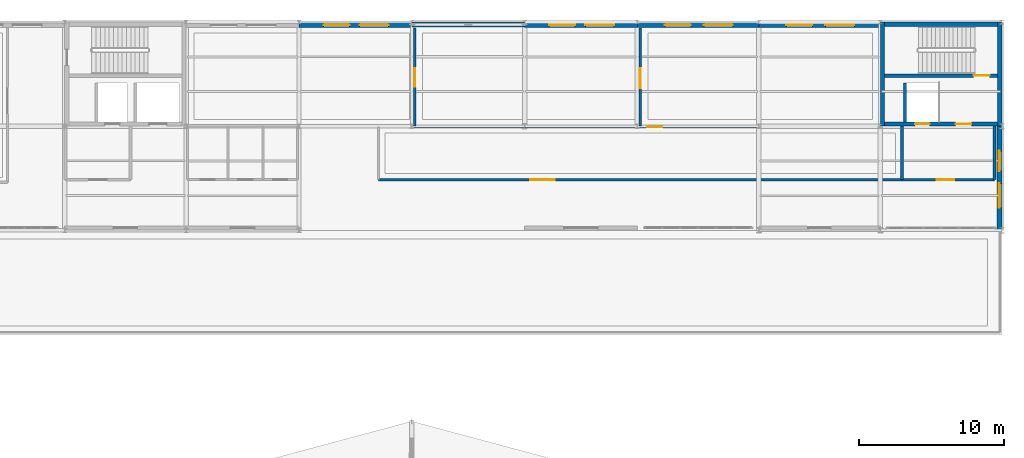
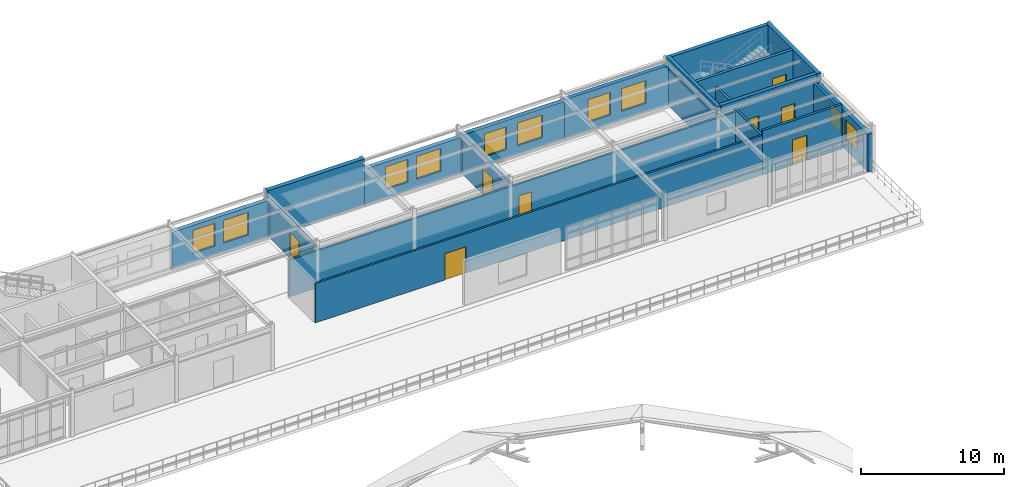
# One storey, part 53 of 58: 19 walls, 10 windows, 8 doors, 18 openings.
"""IFC4 building model written with IfcOpenShell, lengths in metres."""

from ifc_helpers import new_model, si_unit, derived_unit, direction, frame, frame_2d, origin, place, context, subcontext, project, spatial, rectangle, extrude, material, layer, layer_set, type_object, element, fill, save


model = new_model("IFC4")

# Units and contexts
model_context = context("Model", 3, precision=1e-05, world=origin(), true_north=direction((0.0, 1.0)))
body_context = subcontext(model_context, "Body", "Model", "MODEL_VIEW")
ifc_project = project(units=[si_unit("LENGTHUNIT", "METRE"), si_unit("AREAUNIT", "SQUARE_METRE"), si_unit("VOLUMEUNIT", "CUBIC_METRE"), si_unit("PLANEANGLEUNIT", "RADIAN"), si_unit("MASSUNIT", "GRAM", prefix="KILO"), derived_unit("THERMALTRANSMITTANCEUNIT", [(si_unit("POWERUNIT", "WATT"), 1), (si_unit("AREAUNIT", "SQUARE_METRE"), -1), (si_unit("THERMODYNAMICTEMPERATUREUNIT", "KELVIN"), -1)])], contexts=[model_context])

# Site, building, storey
site_placement = place(None, origin())
site = spatial("IfcSite", under=ifc_project, at=site_placement, CompositionType="ELEMENT")
building_placement = place(site_placement, origin())
building = spatial("IfcBuilding", under=site, at=building_placement, Name="Yasenodar Specialist Clinic", CompositionType="ELEMENT")
storey_placement = place(building_placement, frame((0.0, 0.0, 21.300048828125)))
storey = spatial("IfcBuildingStorey", under=building, at=storey_placement, Name="L05", CompositionType="ELEMENT", Elevation=21.300048828125)

# Wall, openings, windows
ifc_material_1 = material(Name="Buff Architectural Terracotta Rainscreen", Category="masonry")
ifc_layer_1 = layer(ifc_material_1, 0.340087890625)
ifc_layer_set_1 = layer_set([ifc_layer_1], Name="Buff Architectural Terracotta Rainscreen")
wall_type_1 = type_object("IfcWallType", Name="EW-TERR-340", PredefinedType="SOLIDWALL", material=ifc_layer_set_1)
wall_1_placement = place(storey_placement, frame((121.6298828125, 104.39990234375, 0.0), z_axis=(0.0, 0.0, 1.0), x_axis=(0.0, -1.0, 0.0)))
wall_1 = element("IfcWall", 1, at=wall_1_placement, inside=storey, type_object=wall_type_1, Name="L05 Exterior Facade Wall 0182", PredefinedType="SOLIDWALL", context=body_context, shape_type="SweptSolid", body=[
    extrude(rectangle(XDim=7.199951171875, YDim=0.340087890625, at=frame_2d((3.60009765625, 0.0))), origin(), (0.0, 0.0, 1.0), 3.22802734375),
])
opening_1_placement = place(wall_1_placement, frame((1.699951171875, 0.0, 0.85009765625)))
opening_1 = element("IfcOpeningElement", 2, at=opening_1_placement, cuts=wall_1, Name="Opening W-11", PredefinedType="OPENING", context=body_context, shape_type="SweptSolid", body=[
    extrude(rectangle(XDim=1.39990234375, YDim=1.64990234375, at=frame_2d((0.699951171875, 0.824951171875))), frame((0.0, 0.18017578125, 0.0), z_axis=(0.0, -1.0, 0.0), x_axis=(1.0, 0.0, 0.0)), (0.0, 0.0, 1.0), 0.360107421875),
])
opening_2_placement = place(wall_1_placement, frame((3.949951171875, 0.0, 0.85009765625)))
opening_2 = element("IfcOpeningElement", 3, at=opening_2_placement, cuts=wall_1, Name="Opening W-12", PredefinedType="OPENING", context=body_context, shape_type="SweptSolid", body=[
    extrude(rectangle(XDim=1.699951171875, YDim=1.75, at=frame_2d((0.85009765625, 0.875))), frame((0.0, 0.18017578125, 0.0), z_axis=(0.0, -1.0, 0.0), x_axis=(1.0, 0.0, 0.0)), (0.0, 0.0, 1.0), 0.360107421875),
])
ifc_material_2 = material(Name="Triple Low-E Argon Glazing in Bronze Aluminium Frame", Category="aluminium")
window_type_1 = type_object("IfcWindowType", Name="WIN-EXT-11", PartitioningType="SINGLE_PANEL", PredefinedType="WINDOW", material=ifc_material_2)
window_1_placement = place(opening_1_placement, origin())
window_1 = element("IfcWindow", 4, at=window_1_placement, inside=storey, type_object=window_type_1, Name="L05 Triple-Glazed Reveal Window 0210", OverallHeight=1.64990234375, OverallWidth=1.39990234375, PartitioningType="SINGLE_PANEL", PredefinedType="WINDOW", context=body_context, shape_type="SweptSolid", body=[
    extrude(rectangle(XDim=1.39990234375, YDim=1.64990234375, at=frame_2d((0.699951171875, 0.824951171875))), frame((0.0, 0.030029296875, 0.0), z_axis=(0.0, -1.0, 0.0), x_axis=(1.0, 0.0, 0.0)), (0.0, 0.0, 1.0), 0.06005859375),
])
fill(opening_1, window_1)
window_type_2 = type_object("IfcWindowType", Name="WIN-EXT-12", PartitioningType="SINGLE_PANEL", PredefinedType="WINDOW", material=ifc_material_2)
window_2_placement = place(opening_2_placement, origin())
window_2 = element("IfcWindow", 5, at=window_2_placement, inside=storey, type_object=window_type_2, Name="L05 Triple-Glazed Reveal Window 0211", OverallHeight=1.75, OverallWidth=1.699951171875, PartitioningType="SINGLE_PANEL", PredefinedType="WINDOW", context=body_context, shape_type="SweptSolid", body=[
    extrude(rectangle(XDim=1.699951171875, YDim=1.75, at=frame_2d((0.85009765625, 0.875))), frame((0.0, 0.030029296875, 0.0), z_axis=(0.0, -1.0, 0.0), x_axis=(1.0, 0.0, 0.0)), (0.0, 0.0, 1.0), 0.06005859375),
])
fill(opening_2, window_2)

wall_2_placement = place(storey_placement, frame((73.199951171875, 111.39990234375, 0.0), z_axis=(0.0, 0.0, 1.0), x_axis=(1.0, 0.0, 0.0)))
wall_2 = element("IfcWall", 6, at=wall_2_placement, inside=storey, type_object=wall_type_1, Name="L05 Exterior Facade Wall 0184", PredefinedType="SOLIDWALL", context=body_context, shape_type="SweptSolid", body=[
    extrude(rectangle(XDim=7.800048828125, YDim=0.340087890625, at=frame_2d((3.89990234375, 0.0))), origin(), (0.0, 0.0, 1.0), 3.22802734375),
])
opening_3_placement = place(wall_2_placement, frame((1.699951171875, 0.0, 0.85009765625)))
opening_3 = element("IfcOpeningElement", 7, at=opening_3_placement, cuts=wall_2, Name="Opening W-05", PredefinedType="OPENING", context=body_context, shape_type="SweptSolid", body=[
    extrude(rectangle(XDim=1.800048828125, YDim=1.949951171875, at=frame_2d((0.89990234375, 0.97509765625))), frame((0.0, 0.18017578125, 0.0), z_axis=(0.0, -1.0, 0.0), x_axis=(1.0, 0.0, 0.0)), (0.0, 0.0, 1.0), 0.360107421875),
])
opening_4_placement = place(wall_2_placement, frame((4.199951171875, 0.0, 0.85009765625)))
opening_4 = element("IfcOpeningElement", 8, at=opening_4_placement, cuts=wall_2, Name="Opening W-06", PredefinedType="OPENING", context=body_context, shape_type="SweptSolid", body=[
    extrude(rectangle(XDim=2.0, YDim=1.949951171875, at=frame_2d((1.0, 0.97509765625))), frame((0.0, 0.18017578125, 0.0), z_axis=(0.0, -1.0, 0.0), x_axis=(1.0, 0.0, 0.0)), (0.0, 0.0, 1.0), 0.360107421875),
])
window_type_3 = type_object("IfcWindowType", Name="WIN-EXT-05", PartitioningType="SINGLE_PANEL", PredefinedType="WINDOW", material=ifc_material_2)
window_3_placement = place(opening_3_placement, origin())
window_3 = element("IfcWindow", 9, at=window_3_placement, inside=storey, type_object=window_type_3, Name="L05 Triple-Glazed Reveal Window 0214", OverallHeight=1.949951171875, OverallWidth=1.800048828125, PartitioningType="SINGLE_PANEL", PredefinedType="WINDOW", context=body_context, shape_type="SweptSolid", body=[
    extrude(rectangle(XDim=1.800048828125, YDim=1.949951171875, at=frame_2d((0.89990234375, 0.97509765625))), frame((0.0, 0.030029296875, 0.0), z_axis=(0.0, -1.0, 0.0), x_axis=(1.0, 0.0, 0.0)), (0.0, 0.0, 1.0), 0.06005859375),
])
fill(opening_3, window_3)
window_type_4 = type_object("IfcWindowType", Name="WIN-EXT-06", PartitioningType="SINGLE_PANEL", PredefinedType="WINDOW", material=ifc_material_2)
window_4_placement = place(opening_4_placement, origin())
window_4 = element("IfcWindow", 10, at=window_4_placement, inside=storey, type_object=window_type_4, Name="L05 Triple-Glazed Reveal Window 0215", OverallHeight=1.949951171875, OverallWidth=2.0, PartitioningType="SINGLE_PANEL", PredefinedType="WINDOW", context=body_context, shape_type="SweptSolid", body=[
    extrude(rectangle(XDim=2.0, YDim=1.949951171875, at=frame_2d((1.0, 0.97509765625))), frame((0.0, 0.030029296875, 0.0), z_axis=(0.0, -1.0, 0.0), x_axis=(1.0, 0.0, 0.0)), (0.0, 0.0, 1.0), 0.06005859375),
])
fill(opening_4, window_4)

wall_3_placement = place(storey_placement, frame((88.800048828125, 111.39990234375, 0.0), z_axis=(0.0, 0.0, 1.0), x_axis=(1.0, 0.0, 0.0)))
wall_3 = element("IfcWall", 11, at=wall_3_placement, inside=storey, type_object=wall_type_1, Name="L05 Exterior Facade Wall 0185", PredefinedType="SOLIDWALL", context=body_context, shape_type="SweptSolid", body=[
    extrude(rectangle(XDim=7.800048828125, YDim=0.340087890625, at=frame_2d((3.89990234375, 0.0))), origin(), (0.0, 0.0, 1.0), 3.177978515625),
])
opening_5_placement = place(wall_3_placement, frame((1.699951171875, 0.0, 0.85009765625)))
opening_5 = element("IfcOpeningElement", 12, at=opening_5_placement, cuts=wall_3, Name="Opening W-05", PredefinedType="OPENING", context=body_context, shape_type="SweptSolid", body=[
    extrude(rectangle(XDim=1.800048828125, YDim=1.949951171875, at=frame_2d((0.89990234375, 0.97509765625))), frame((0.0, 0.18017578125, 0.0), z_axis=(0.0, -1.0, 0.0), x_axis=(1.0, 0.0, 0.0)), (0.0, 0.0, 1.0), 0.360107421875),
])
opening_6_placement = place(wall_3_placement, frame((4.199951171875, 0.0, 0.85009765625)))
opening_6 = element("IfcOpeningElement", 13, at=opening_6_placement, cuts=wall_3, Name="Opening W-06", PredefinedType="OPENING", context=body_context, shape_type="SweptSolid", body=[
    extrude(rectangle(XDim=2.0, YDim=1.949951171875, at=frame_2d((1.0, 0.97509765625))), frame((0.0, 0.18017578125, 0.0), z_axis=(0.0, -1.0, 0.0), x_axis=(1.0, 0.0, 0.0)), (0.0, 0.0, 1.0), 0.360107421875),
])
window_5_placement = place(opening_5_placement, origin())
window_5 = element("IfcWindow", 14, at=window_5_placement, inside=storey, type_object=window_type_3, Name="L05 Triple-Glazed Reveal Window 0216", OverallHeight=1.949951171875, OverallWidth=1.800048828125, PartitioningType="SINGLE_PANEL", PredefinedType="WINDOW", context=body_context, shape_type="SweptSolid", body=[
    extrude(rectangle(XDim=1.800048828125, YDim=1.949951171875, at=frame_2d((0.89990234375, 0.97509765625))), frame((0.0, 0.030029296875, 0.0), z_axis=(0.0, -1.0, 0.0), x_axis=(1.0, 0.0, 0.0)), (0.0, 0.0, 1.0), 0.06005859375),
])
fill(opening_5, window_5)
window_6_placement = place(opening_6_placement, origin())
window_6 = element("IfcWindow", 15, at=window_6_placement, inside=storey, type_object=window_type_4, Name="L05 Triple-Glazed Reveal Window 0217", OverallHeight=1.949951171875, OverallWidth=2.0, PartitioningType="SINGLE_PANEL", PredefinedType="WINDOW", context=body_context, shape_type="SweptSolid", body=[
    extrude(rectangle(XDim=2.0, YDim=1.949951171875, at=frame_2d((1.0, 0.97509765625))), frame((0.0, 0.030029296875, 0.0), z_axis=(0.0, -1.0, 0.0), x_axis=(1.0, 0.0, 0.0)), (0.0, 0.0, 1.0), 0.06005859375),
])
fill(opening_6, window_6)

wall_4_placement = place(storey_placement, frame((105.0, 111.39990234375, 0.0), z_axis=(0.0, 0.0, 1.0), x_axis=(1.0, 0.0, 0.0)))
wall_4 = element("IfcWall", 16, at=wall_4_placement, inside=storey, type_object=wall_type_1, Name="L05 Exterior Facade Wall 0186", PredefinedType="SOLIDWALL", context=body_context, shape_type="SweptSolid", body=[
    extrude(rectangle(XDim=8.39990234375, YDim=0.340087890625, at=frame_2d((4.199951171875, 0.0))), origin(), (0.0, 0.0, 1.0), 3.43798828125),
])
opening_7_placement = place(wall_4_placement, frame((1.89990234375, 0.0, 0.85009765625)))
opening_7 = element("IfcOpeningElement", 17, at=opening_7_placement, cuts=wall_4, Name="Opening W-05", PredefinedType="OPENING", context=body_context, shape_type="SweptSolid", body=[
    extrude(rectangle(XDim=1.800048828125, YDim=1.949951171875, at=frame_2d((0.89990234375, 0.97509765625))), frame((0.0, 0.18017578125, 0.0), z_axis=(0.0, -1.0, 0.0), x_axis=(1.0, 0.0, 0.0)), (0.0, 0.0, 1.0), 0.360107421875),
])
opening_8_placement = place(wall_4_placement, frame((4.60009765625, 0.0, 0.85009765625)))
opening_8 = element("IfcOpeningElement", 18, at=opening_8_placement, cuts=wall_4, Name="Opening W-06", PredefinedType="OPENING", context=body_context, shape_type="SweptSolid", body=[
    extrude(rectangle(XDim=2.0, YDim=1.949951171875, at=frame_2d((1.0, 0.97509765625))), frame((0.0, 0.18017578125, 0.0), z_axis=(0.0, -1.0, 0.0), x_axis=(1.0, 0.0, 0.0)), (0.0, 0.0, 1.0), 0.360107421875),
])
window_7_placement = place(opening_7_placement, origin())
window_7 = element("IfcWindow", 19, at=window_7_placement, inside=storey, type_object=window_type_3, Name="L05 Triple-Glazed Reveal Window 0218", OverallHeight=1.949951171875, OverallWidth=1.800048828125, PartitioningType="SINGLE_PANEL", PredefinedType="WINDOW", context=body_context, shape_type="SweptSolid", body=[
    extrude(rectangle(XDim=1.800048828125, YDim=1.949951171875, at=frame_2d((0.89990234375, 0.97509765625))), frame((0.0, 0.030029296875, 0.0), z_axis=(0.0, -1.0, 0.0), x_axis=(1.0, 0.0, 0.0)), (0.0, 0.0, 1.0), 0.06005859375),
])
fill(opening_7, window_7)
window_8_placement = place(opening_8_placement, origin())
window_8 = element("IfcWindow", 20, at=window_8_placement, inside=storey, type_object=window_type_4, Name="L05 Triple-Glazed Reveal Window 0219", OverallHeight=1.949951171875, OverallWidth=2.0, PartitioningType="SINGLE_PANEL", PredefinedType="WINDOW", context=body_context, shape_type="SweptSolid", body=[
    extrude(rectangle(XDim=2.0, YDim=1.949951171875, at=frame_2d((1.0, 0.97509765625))), frame((0.0, 0.030029296875, 0.0), z_axis=(0.0, -1.0, 0.0), x_axis=(1.0, 0.0, 0.0)), (0.0, 0.0, 1.0), 0.06005859375),
])
fill(opening_8, window_8)

wall_5_placement = place(storey_placement, frame((96.60009765625, 111.39990234375, 0.0), z_axis=(0.0, 0.0, 1.0), x_axis=(1.0, 0.0, 0.0)))
wall_5 = element("IfcWall", 21, at=wall_5_placement, inside=storey, type_object=wall_type_1, Name="L05 Exterior Facade Wall 0187", PredefinedType="SOLIDWALL", context=body_context, shape_type="SweptSolid", body=[
    extrude(rectangle(XDim=8.39990234375, YDim=0.340087890625, at=frame_2d((4.199951171875, 0.0))), origin(), (0.0, 0.0, 1.0), 3.327880859375),
])
opening_9_placement = place(wall_5_placement, frame((1.89990234375, 0.0, 0.85009765625)))
opening_9 = element("IfcOpeningElement", 22, at=opening_9_placement, cuts=wall_5, Name="Opening W-05", PredefinedType="OPENING", context=body_context, shape_type="SweptSolid", body=[
    extrude(rectangle(XDim=1.800048828125, YDim=1.949951171875, at=frame_2d((0.89990234375, 0.97509765625))), frame((0.0, 0.18017578125, 0.0), z_axis=(0.0, -1.0, 0.0), x_axis=(1.0, 0.0, 0.0)), (0.0, 0.0, 1.0), 0.360107421875),
])
opening_10_placement = place(wall_5_placement, frame((4.60009765625, 0.0, 0.85009765625)))
opening_10 = element("IfcOpeningElement", 23, at=opening_10_placement, cuts=wall_5, Name="Opening W-06", PredefinedType="OPENING", context=body_context, shape_type="SweptSolid", body=[
    extrude(rectangle(XDim=2.0, YDim=1.949951171875, at=frame_2d((1.0, 0.97509765625))), frame((0.0, 0.18017578125, 0.0), z_axis=(0.0, -1.0, 0.0), x_axis=(1.0, 0.0, 0.0)), (0.0, 0.0, 1.0), 0.360107421875),
])
window_9_placement = place(opening_9_placement, origin())
window_9 = element("IfcWindow", 24, at=window_9_placement, inside=storey, type_object=window_type_3, Name="L05 Triple-Glazed Reveal Window 0220", OverallHeight=1.949951171875, OverallWidth=1.800048828125, PartitioningType="SINGLE_PANEL", PredefinedType="WINDOW", context=body_context, shape_type="SweptSolid", body=[
    extrude(rectangle(XDim=1.800048828125, YDim=1.949951171875, at=frame_2d((0.89990234375, 0.97509765625))), frame((0.0, 0.030029296875, 0.0), z_axis=(0.0, -1.0, 0.0), x_axis=(1.0, 0.0, 0.0)), (0.0, 0.0, 1.0), 0.06005859375),
])
fill(opening_9, window_9)
window_10_placement = place(opening_10_placement, origin())
window_10 = element("IfcWindow", 25, at=window_10_placement, inside=storey, type_object=window_type_4, Name="L05 Triple-Glazed Reveal Window 0221", OverallHeight=1.949951171875, OverallWidth=2.0, PartitioningType="SINGLE_PANEL", PredefinedType="WINDOW", context=body_context, shape_type="SweptSolid", body=[
    extrude(rectangle(XDim=2.0, YDim=1.949951171875, at=frame_2d((1.0, 0.97509765625))), frame((0.0, 0.030029296875, 0.0), z_axis=(0.0, -1.0, 0.0), x_axis=(1.0, 0.0, 0.0)), (0.0, 0.0, 1.0), 0.06005859375),
])
fill(opening_10, window_10)

# Wall, opening, door
ifc_material_3 = material(Name="Acoustic Double-Gypsum Consulting Partition")
ifc_layer_2 = layer(ifc_material_3, 0.159912109375)
ifc_layer_set_2 = layer_set([ifc_layer_2], Name="Acoustic Double-Gypsum Consulting Partition")
wall_type_2 = type_object("IfcWallType", Name="IW-CONS-160", PredefinedType="PARTITIONING", material=ifc_layer_set_2)
wall_6_placement = place(storey_placement, frame((78.699951171875, 100.699951171875, 0.0), z_axis=(0.0, 0.0, 1.0), x_axis=(1.0, 0.0, 0.0)))
wall_6 = element("IfcWall", 26, at=wall_6_placement, inside=storey, type_object=wall_type_2, Name="L05 Wing V5 L05 Corridor North Partition", PredefinedType="PARTITIONING", context=body_context, shape_type="SweptSolid", body=[
    extrude(rectangle(XDim=36.199951171875, YDim=0.159912109375, at=frame_2d((18.10009765625, 0.0))), origin(), (0.0, 0.0, 1.0), 3.3779296875),
])
opening_11_placement = place(wall_6_placement, frame((10.5, 0.0, 0.0)))
opening_11 = element("IfcOpeningElement", 27, at=opening_11_placement, cuts=wall_6, Name="Opening D-10", PredefinedType="OPENING", context=body_context, shape_type="SweptSolid", body=[
    extrude(rectangle(XDim=1.679931640625, YDim=2.260009765625, at=frame_2d((0.83984375, 1.1298828125))), frame((0.0, 0.08984375, 0.0), z_axis=(0.0, -1.0, 0.0), x_axis=(1.0, 0.0, 0.0)), (0.0, 0.0, 1.0), 0.179931640625),
])
ifc_material_4 = material(Name="Powder-Coated Steel and Acoustic Laminate Leaf", Category="steel")
door_type_1 = type_object("IfcDoorType", Name="DR-BED-168", OperationType="DOUBLE_DOOR_SINGLE_SWING", PredefinedType="DOOR", material=ifc_material_4)
door_1_placement = place(opening_11_placement, origin())
door_1 = element("IfcDoor", 28, at=door_1_placement, inside=storey, type_object=door_type_1, Name="L05 Clinical Reference Library Door", OperationType="DOUBLE_DOOR_SINGLE_SWING", OverallHeight=2.260009765625, OverallWidth=1.679931640625, PredefinedType="DOOR", context=body_context, shape_type="SweptSolid", body=[
    extrude(rectangle(XDim=1.679931640625, YDim=2.260009765625, at=frame_2d((0.83984375, 1.1298828125))), frame((0.0, 0.02490234375, 0.0), z_axis=(0.0, -1.0, 0.0), x_axis=(1.0, 0.0, 0.0)), (0.0, 0.0, 1.0), 0.050048828125),
])
fill(opening_11, door_1)

wall_7_placement = place(storey_placement, frame((78.699951171875, 104.35009765625, 0.0), z_axis=(0.0, 0.0, 1.0), x_axis=(1.0, 0.0, 0.0)))
wall_7 = element("IfcWall", 29, at=wall_7_placement, inside=storey, type_object=wall_type_2, Name="L05 Wing V5 L05 North Spine Partition", PredefinedType="PARTITIONING", context=body_context, shape_type="SweptSolid", body=[
    extrude(rectangle(XDim=36.199951171875, YDim=0.159912109375, at=frame_2d((18.10009765625, 0.0))), origin(), (0.0, 0.0, 1.0), 3.177978515625),
])
opening_12_placement = place(wall_7_placement, frame((18.590087890625, 0.0, 0.0)))
opening_12 = element("IfcOpeningElement", 30, at=opening_12_placement, cuts=wall_7, Name="Opening D-03", PredefinedType="OPENING", context=body_context, shape_type="SweptSolid", body=[
    extrude(rectangle(XDim=1.02001953125, YDim=2.14990234375, at=frame_2d((0.510009765625, 1.074951171875))), frame((0.0, 0.08984375, 0.0), z_axis=(0.0, -1.0, 0.0), x_axis=(1.0, 0.0, 0.0)), (0.0, 0.0, 1.0), 0.179931640625),
])
door_type_2 = type_object("IfcDoorType", Name="DR-CLN-102", OperationType="NOTDEFINED", PredefinedType="DOOR", material=ifc_material_4)
door_2_placement = place(opening_12_placement, origin())
door_2 = element("IfcDoor", 31, at=door_2_placement, inside=storey, type_object=door_type_2, Name="L05 Medical Simulation Skills Studio Door", OperationType="SINGLE_SWING_RIGHT", OverallHeight=2.14990234375, OverallWidth=1.02001953125, PredefinedType="DOOR", context=body_context, shape_type="SweptSolid", body=[
    extrude(rectangle(XDim=1.02001953125, YDim=2.14990234375, at=frame_2d((0.510009765625, 1.074951171875))), frame((0.0, 0.02490234375, 0.0), z_axis=(0.0, -1.0, 0.0), x_axis=(1.0, 0.0, 0.0)), (0.0, 0.0, 1.0), 0.050048828125),
])
fill(opening_12, door_2)

wall_8_placement = place(storey_placement, frame((96.800048828125, 111.199951171875, 0.0), z_axis=(0.0, 0.0, 1.0), x_axis=(0.0, -1.0, 0.0)))
wall_8 = element("IfcWall", 32, at=wall_8_placement, inside=storey, type_object=wall_type_2, Name="L05 Medical Seminar Room B Partition", PredefinedType="PARTITIONING", context=body_context, shape_type="SweptSolid", body=[
    extrude(rectangle(XDim=6.7900390625, YDim=0.159912109375, at=frame_2d((3.39501953125, 0.0))), origin(), (0.0, 0.0, 1.0), 3.327880859375),
])
opening_13_placement = place(wall_8_placement, frame((2.800048828125, 0.0, 0.0)))
opening_13 = element("IfcOpeningElement", 33, at=opening_13_placement, cuts=wall_8, Name="Opening D-11", PredefinedType="OPENING", context=body_context, shape_type="SweptSolid", body=[
    extrude(rectangle(XDim=1.360107421875, YDim=2.199951171875, at=frame_2d((0.68017578125, 1.10009765625))), frame((0.0, 0.08984375, 0.0), z_axis=(0.0, -1.0, 0.0), x_axis=(1.0, 0.0, 0.0)), (0.0, 0.0, 1.0), 0.179931640625),
])
door_type_3 = type_object("IfcDoorType", Name="DR-PLT-136", OperationType="NOTDEFINED", PredefinedType="DOOR", material=ifc_material_4)
door_3_placement = place(opening_13_placement, origin())
door_3 = element("IfcDoor", 34, at=door_3_placement, inside=storey, type_object=door_type_3, Name="L05 Medical Seminar Room B Door", OperationType="SINGLE_SWING_LEFT", OverallHeight=2.199951171875, OverallWidth=1.360107421875, PredefinedType="DOOR", context=body_context, shape_type="SweptSolid", body=[
    extrude(rectangle(XDim=1.360107421875, YDim=2.199951171875, at=frame_2d((0.68017578125, 1.10009765625))), frame((0.0, 0.02490234375, 0.0), z_axis=(0.0, -1.0, 0.0), x_axis=(1.0, 0.0, 0.0)), (0.0, 0.0, 1.0), 0.050048828125),
])
fill(opening_13, door_3)

ifc_material_5 = material(Name="Cleanroom Laboratory Partition")
ifc_layer_3 = layer(ifc_material_5, 0.169921875)
ifc_layer_set_3 = layer_set([ifc_layer_3], Name="Cleanroom Laboratory Partition")
wall_type_3 = type_object("IfcWallType", Name="IW-LAB-170", PredefinedType="PARTITIONING", material=ifc_layer_set_3)
wall_9_placement = place(storey_placement, frame((81.199951171875, 111.199951171875, 0.0), z_axis=(0.0, 0.0, 1.0), x_axis=(0.0, -1.0, 0.0)))
wall_9 = element("IfcWall", 35, at=wall_9_placement, inside=storey, type_object=wall_type_3, Name="L05 Medical Seminar Room A Partition", PredefinedType="PARTITIONING", context=body_context, shape_type="SweptSolid", body=[
    extrude(rectangle(XDim=6.7900390625, YDim=0.169921875, at=frame_2d((3.39501953125, 0.0))), origin(), (0.0, 0.0, 1.0), 3.22802734375),
])
opening_14_placement = place(wall_9_placement, frame((2.800048828125, 0.0, 0.0)))
opening_14 = element("IfcOpeningElement", 36, at=opening_14_placement, cuts=wall_9, Name="Opening D-08", PredefinedType="OPENING", context=body_context, shape_type="SweptSolid", body=[
    extrude(rectangle(XDim=1.280029296875, YDim=2.219970703125, at=frame_2d((0.64013671875, 1.10986328125))), frame((0.0, 0.094970703125, 0.0), z_axis=(0.0, -1.0, 0.0), x_axis=(1.0, 0.0, 0.0)), (0.0, 0.0, 1.0), 0.18994140625),
])
door_type_4 = type_object("IfcDoorType", Name="DR-CLN-128", OperationType="NOTDEFINED", PredefinedType="DOOR", material=ifc_material_4)
door_4_placement = place(opening_14_placement, origin())
door_4 = element("IfcDoor", 37, at=door_4_placement, inside=storey, type_object=door_type_4, Name="L05 Medical Seminar Room A Door", OperationType="SINGLE_SWING_RIGHT", OverallHeight=2.219970703125, OverallWidth=1.280029296875, PredefinedType="DOOR", context=body_context, shape_type="SweptSolid", body=[
    extrude(rectangle(XDim=1.280029296875, YDim=2.219970703125, at=frame_2d((0.64013671875, 1.10986328125))), frame((0.0, 0.02490234375, 0.0), z_axis=(0.0, -1.0, 0.0), x_axis=(1.0, 0.0, 0.0)), (0.0, 0.0, 1.0), 0.050048828125),
])
fill(opening_14, door_4)

ifc_material_6 = material(Name="Fire-Rated Gypsum and Mineral-Wool Wall")
ifc_layer_4 = layer(ifc_material_6, 0.195068359375)
ifc_layer_set_4 = layer_set([ifc_layer_4], Name="Fire-Rated Gypsum and Mineral-Wool Wall")
wall_type_4 = type_object("IfcWallType", Name="IW-LOBBY-195", PredefinedType="PARTITIONING", material=ifc_layer_set_4)
wall_10_placement = place(storey_placement, frame((114.89990234375, 100.699951171875, 0.0), z_axis=(0.0, 0.0, 1.0), x_axis=(1.0, 0.0, 0.0)))
wall_10 = element("IfcWall", 38, at=wall_10_placement, inside=storey, type_object=wall_type_4, Name="L05 C5 Firefighting Lobby South Wall", PredefinedType="PARTITIONING", context=body_context, shape_type="SweptSolid", body=[
    extrude(rectangle(XDim=6.400146484375, YDim=0.195068359375, at=frame_2d((3.2001953125, 0.0))), origin(), (0.0, 0.0, 1.0), 3.780029296875),
])
opening_15_placement = place(wall_10_placement, frame((2.39990234375, 0.0, 0.0)))
opening_15 = element("IfcOpeningElement", 39, at=opening_15_placement, cuts=wall_10, Name="Opening FD-02", PredefinedType="OPENING", context=body_context, shape_type="SweptSolid", body=[
    extrude(rectangle(XDim=1.199951171875, YDim=2.14990234375, at=frame_2d((0.60009765625, 1.074951171875))), frame((0.0, 0.107421875, 0.0), z_axis=(0.0, -1.0, 0.0), x_axis=(1.0, 0.0, 0.0)), (0.0, 0.0, 1.0), 0.215087890625),
])
ifc_material_7 = material(Name="Fire-Rated Insulated Steel Door", Category="steel")
door_type_5 = type_object("IfcDoorType", Name="DR-FD-120", OperationType="NOTDEFINED", PredefinedType="DOOR", material=ifc_material_7)
door_5_placement = place(opening_15_placement, origin())
door_5 = element("IfcDoor", 40, at=door_5_placement, inside=storey, type_object=door_type_5, Name="L05 C5 Firefighting Lobby Door", OperationType="SINGLE_SWING_LEFT", OverallHeight=2.14990234375, OverallWidth=1.199951171875, PredefinedType="DOOR", context=body_context, shape_type="SweptSolid", body=[
    extrude(rectangle(XDim=1.199951171875, YDim=2.14990234375, at=frame_2d((0.60009765625, 1.074951171875))), frame((0.0, 0.02490234375, 0.0), z_axis=(0.0, -1.0, 0.0), x_axis=(1.0, 0.0, 0.0)), (0.0, 0.0, 1.0), 0.050048828125),
])
fill(opening_15, door_5)

# Walls
for number, where, z_axis, x_axis, name in (
    (41, (121.300048828125, 100.699951171875, 0.0), (0.0, 0.0, 1.0), (0.0, 1.0, 0.0), "L05 C5 Firefighting Lobby East Wall"),
    (42, (114.89990234375, 100.699951171875, 0.0), (0.0, 0.0, 1.0), (0.0, 1.0, 0.0), "L05 C5 Firefighting Lobby West Wall"),
):
    element("IfcWall", number, at=place(storey_placement, frame(where, z_axis=z_axis, x_axis=x_axis)), inside=storey, type_object=wall_type_4, Name=name, PredefinedType="PARTITIONING", context=body_context, shape_type="SweptSolid", body=[
        extrude(rectangle(XDim=3.699951171875, YDim=0.195068359375, at=frame_2d((1.85009765625, 0.0))), origin(), (0.0, 0.0, 1.0), 3.387939453125),
    ])
ifc_material_8 = material(Name="Aerated Concrete Blockwork Fire Shaft Wall", Category="masonry")
ifc_layer_5 = layer(ifc_material_8, 0.205078125)
ifc_layer_set_5 = layer_set([ifc_layer_5], Name="Aerated Concrete Blockwork Fire Shaft Wall")
wall_type_5 = type_object("IfcWallType", Name="IW-SHAFT-205", PredefinedType="PARTITIONING", material=ifc_layer_set_5)
wall_11_placement = place(storey_placement, frame((115.10009765625, 104.699951171875, 0.0), z_axis=(0.0, 0.0, 1.0), x_axis=(0.0, 1.0, 0.0)))
element("IfcWall", 43, at=wall_11_placement, inside=storey, type_object=wall_type_5, Name="L05 LF-08 Lift Shaft Side Wall", PredefinedType="PARTITIONING", context=body_context, shape_type="SweptSolid", body=[
    extrude(rectangle(XDim=2.699951171875, YDim=0.205078125, at=frame_2d((1.35009765625, 0.0))), origin(), (0.0, 0.0, 1.0), 3.387939453125),
])

# Wall, opening, door
ifc_material_9 = material(Name="Concrete C35/45", Category="concrete")
ifc_layer_6 = layer(ifc_material_9, 0.25)
ifc_layer_set_6 = layer_set([ifc_layer_6], Name="Concrete C35/45")
wall_type_6 = type_object("IfcWallType", Name="WL-CORE-250", PredefinedType="SHEAR", material=ifc_layer_set_6)
wall_12_placement = place(storey_placement, frame((113.699951171875, 107.89990234375, 0.0), z_axis=(0.0, 0.0, 1.0), x_axis=(1.0, 0.0, 0.0)))
wall_12 = element("IfcWall", 44, at=wall_12_placement, inside=storey, type_object=wall_type_6, Name="L05 Core C5 Central Spine Wall", PredefinedType="SHEAR", context=body_context, shape_type="SweptSolid", body=[
    extrude(rectangle(XDim=7.800048828125, YDim=0.25, at=frame_2d((3.89990234375, 0.0))), origin(), (0.0, 0.0, 1.0), 4.050048828125),
])
opening_16_placement = place(wall_12_placement, frame((6.14990234375, 0.0, 0.0)))
opening_16 = element("IfcOpeningElement", 45, at=opening_16_placement, cuts=wall_12, Name="Opening FD-01", PredefinedType="OPENING", context=body_context, shape_type="SweptSolid", body=[
    extrude(rectangle(XDim=1.10009765625, YDim=2.14990234375, at=frame_2d((0.550048828125, 1.074951171875))), frame((0.0, 0.135009765625, 0.0), z_axis=(0.0, -1.0, 0.0), x_axis=(1.0, 0.0, 0.0)), (0.0, 0.0, 1.0), 0.27001953125),
])
door_type_6 = type_object("IfcDoorType", Name="DR-FD-110", OperationType="NOTDEFINED", PredefinedType="DOOR", material=ifc_material_7)
door_6_placement = place(opening_16_placement, origin())
door_6 = element("IfcDoor", 46, at=door_6_placement, inside=storey, type_object=door_type_6, Name="L05 ST-05 Protected Stair Door", OperationType="SINGLE_SWING_LEFT", OverallHeight=2.14990234375, OverallWidth=1.10009765625, PredefinedType="DOOR", context=body_context, shape_type="SweptSolid", body=[
    extrude(rectangle(XDim=1.10009765625, YDim=2.14990234375, at=frame_2d((0.550048828125, 1.074951171875))), frame((0.0, 0.02490234375, 0.0), z_axis=(0.0, -1.0, 0.0), x_axis=(1.0, 0.0, 0.0)), (0.0, 0.0, 1.0), 0.050048828125),
])
fill(opening_16, door_6)

# Wall
ifc_layer_7 = layer(ifc_material_9, 0.300048828125)
ifc_layer_set_7 = layer_set([ifc_layer_7], Name="Concrete C35/45")
wall_type_7 = type_object("IfcWallType", Name="WL-CORE-300", PredefinedType="SHEAR", material=ifc_layer_set_7)
wall_13_placement = place(storey_placement, frame((113.39990234375, 111.449951171875, 0.0), z_axis=(0.0, 0.0, 1.0), x_axis=(1.0, 0.0, 0.0)))
element("IfcWall", 47, at=wall_13_placement, inside=storey, type_object=wall_type_7, Name="L05 Core C5 North Shear Wall", PredefinedType="SHEAR", context=body_context, shape_type="SweptSolid", body=[
    extrude(rectangle(XDim=8.400146484375, YDim=0.300048828125, at=frame_2d((4.2001953125, 0.0))), origin(), (0.0, 0.0, 1.0), 4.050048828125),
])

# Wall, openings, doors
wall_14_placement = place(storey_placement, frame((113.39990234375, 104.550048828125, 0.0), z_axis=(0.0, 0.0, 1.0), x_axis=(1.0, 0.0, 0.0)))
wall_14 = element("IfcWall", 48, at=wall_14_placement, inside=storey, type_object=wall_type_7, Name="L05 Core C5 South Shear Wall", PredefinedType="SHEAR", context=body_context, shape_type="SweptSolid", body=[
    extrude(rectangle(XDim=8.400146484375, YDim=0.300048828125, at=frame_2d((4.2001953125, 0.0))), origin(), (0.0, 0.0, 1.0), 4.050048828125),
])
opening_17_placement = place(wall_14_placement, frame((5.199951171875, 0.0, 0.0)))
opening_17 = element("IfcOpeningElement", 49, at=opening_17_placement, cuts=wall_14, Name="Opening FD-01", PredefinedType="OPENING", context=body_context, shape_type="SweptSolid", body=[
    extrude(rectangle(XDim=1.10009765625, YDim=2.14990234375, at=frame_2d((0.550048828125, 1.074951171875))), frame((0.0, 0.16015625, 0.0), z_axis=(0.0, -1.0, 0.0), x_axis=(1.0, 0.0, 0.0)), (0.0, 0.0, 1.0), 0.320068359375),
])
opening_18_placement = place(wall_14_placement, frame((2.39990234375, 0.0, 0.0)))
opening_18 = element("IfcOpeningElement", 50, at=opening_18_placement, cuts=wall_14, Name="Opening LD-01", PredefinedType="OPENING", context=body_context, shape_type="SweptSolid", body=[
    extrude(rectangle(XDim=1.0, YDim=2.10009765625, at=frame_2d((0.5, 1.050048828125))), frame((0.0, 0.16015625, 0.0), z_axis=(0.0, -1.0, 0.0), x_axis=(1.0, 0.0, 0.0)), (0.0, 0.0, 1.0), 0.320068359375),
])
door_7_placement = place(opening_17_placement, origin())
door_7 = element("IfcDoor", 51, at=door_7_placement, inside=storey, type_object=door_type_6, Name="L05 Stair ST-05 Vestibule Door", OperationType="SINGLE_SWING_RIGHT", OverallHeight=2.14990234375, OverallWidth=1.10009765625, PredefinedType="DOOR", context=body_context, shape_type="SweptSolid", body=[
    extrude(rectangle(XDim=1.10009765625, YDim=2.14990234375, at=frame_2d((0.550048828125, 1.074951171875))), frame((0.0, 0.02490234375, 0.0), z_axis=(0.0, -1.0, 0.0), x_axis=(1.0, 0.0, 0.0)), (0.0, 0.0, 1.0), 0.050048828125),
])
fill(opening_17, door_7)
door_type_7 = type_object("IfcDoorType", Name="DR-LD-100", OperationType="DOUBLE_DOOR_SLIDING", PredefinedType="DOOR", material=ifc_material_7)
door_8_placement = place(opening_18_placement, origin())
door_8 = element("IfcDoor", 52, at=door_8_placement, inside=storey, type_object=door_type_7, Name="L05 LF-08 Lift Landing Door", OperationType="DOUBLE_DOOR_SLIDING", OverallHeight=2.10009765625, OverallWidth=1.0, PredefinedType="DOOR", context=body_context, shape_type="SweptSolid", body=[
    extrude(rectangle(XDim=1.0, YDim=2.10009765625, at=frame_2d((0.5, 1.050048828125))), frame((0.0, 0.02490234375, 0.0), z_axis=(0.0, -1.0, 0.0), x_axis=(1.0, 0.0, 0.0)), (0.0, 0.0, 1.0), 0.050048828125),
])
fill(opening_18, door_8)

# Walls
for number, where, z_axis, x_axis, name in (
    (53, (113.550048828125, 104.39990234375, 0.0), (0.0, 0.0, 1.0), (0.0, 1.0, 0.0), "L05 Core C5 West Shear Wall"),
    (54, (121.64990234375, 111.60009765625, 0.0), (0.0, 0.0, 1.0), (0.0, -1.0, 0.0), "L05 Core C5 East Shear Wall"),
):
    element("IfcWall", number, at=place(storey_placement, frame(where, z_axis=z_axis, x_axis=x_axis)), inside=storey, type_object=wall_type_7, Name=name, PredefinedType="SHEAR", context=body_context, shape_type="SweptSolid", body=[
        extrude(rectangle(XDim=7.2001953125, YDim=0.300048828125, at=frame_2d((3.60009765625, 0.0))), origin(), (0.0, 0.0, 1.0), 4.050048828125),
    ])
ifc_layer_8 = layer(ifc_material_9, 0.35009765625)
ifc_layer_set_8 = layer_set([ifc_layer_8], Name="Concrete C35/45")
wall_type_8 = type_object("IfcWallType", Name="WL-PARTY-350", PredefinedType="SHEAR", material=ifc_layer_set_8)
wall_15_placement = place(storey_placement, frame((81.0, 111.425048828125, 0.0), z_axis=(0.0, 0.0, 1.0), x_axis=(1.0, 0.0, 0.0)))
element("IfcWall", 55, at=wall_15_placement, inside=storey, type_object=wall_type_8, Name="L05 Northern Party Wall Segment 1", PredefinedType="SHEAR", context=body_context, shape_type="SweptSolid", body=[
    extrude(rectangle(XDim=7.800048828125, YDim=0.35009765625, at=frame_2d((3.89990234375, 0.0))), origin(), (0.0, 0.0, 1.0), 4.050048828125),
])

save(model, "model.ifc")
